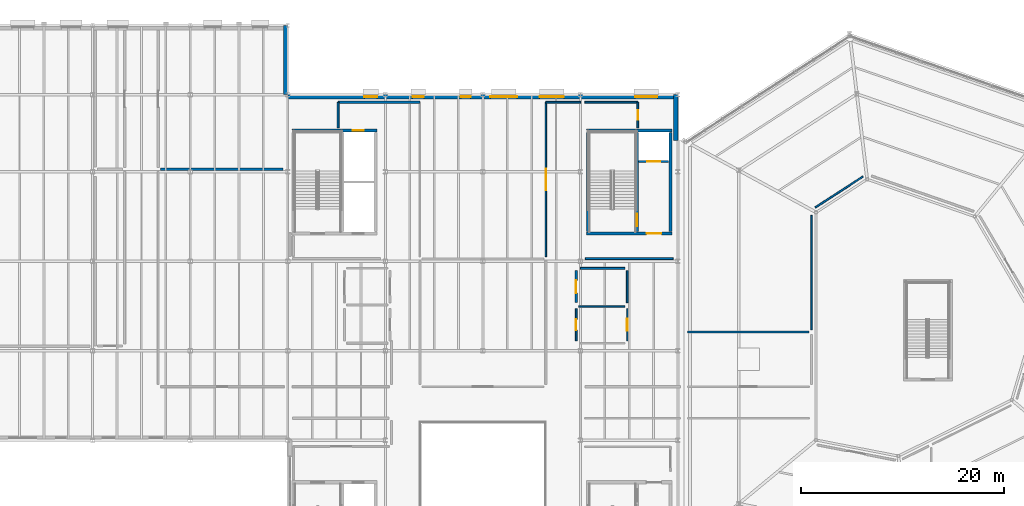
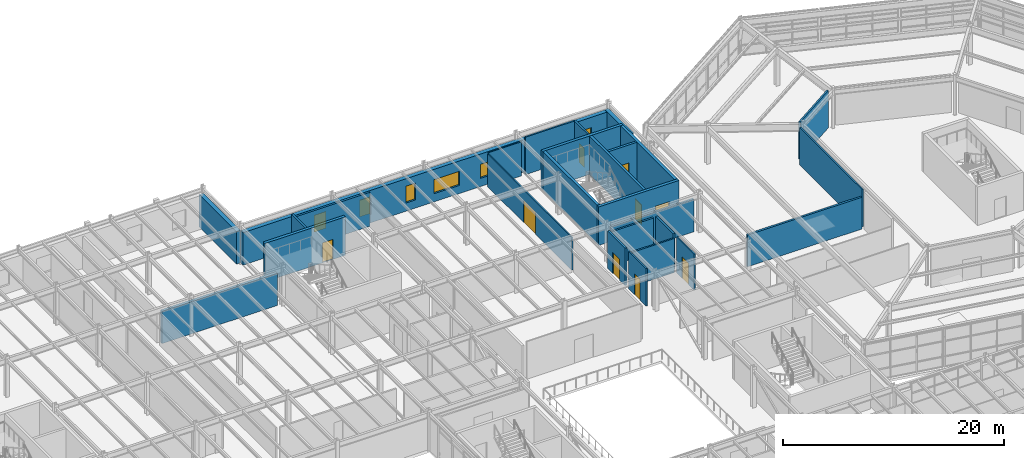
# One storey, part 75 of 88: 27 walls, 9 doors, 6 windows, 15 openings.
"""IFC4 building model written with IfcOpenShell, lengths in metres."""

from ifc_helpers import new_model, si_unit, direction, frame, frame_2d, origin, place, context, subcontext, project, spatial, rectangle, extrude, material, layer, layer_set, type_object, element, fill, save


model = new_model("IFC4")

# Units and contexts
model_context = context("Model", 3, precision=1e-05, world=origin(), true_north=direction((0.0, 1.0)))
body_context = subcontext(model_context, "Body", "Model", "MODEL_VIEW")
ifc_project = project(units=[si_unit("LENGTHUNIT", "METRE"), si_unit("AREAUNIT", "SQUARE_METRE"), si_unit("VOLUMEUNIT", "CUBIC_METRE"), si_unit("PLANEANGLEUNIT", "RADIAN"), si_unit("MASSUNIT", "GRAM", prefix="KILO")], contexts=[model_context])

# Site, building, storey
site_placement = place(None, origin())
site = spatial("IfcSite", under=ifc_project, at=site_placement, CompositionType="ELEMENT")
building_placement = place(site_placement, origin())
building = spatial("IfcBuilding", under=site, at=building_placement, Name="Sarnbrook Museum", CompositionType="ELEMENT")
storey_placement = place(building_placement, frame((0.0, 0.0, 10.10009765625)))
storey = spatial("IfcBuildingStorey", under=building, at=storey_placement, Name="L02", CompositionType="ELEMENT", Elevation=10.10009765625)

# Wall, opening, door
ifc_material_1 = material(Name="Concrete N50 (AS 3600, f'c = 50 MPa)", Category="concrete")
ifc_layer_1 = layer(ifc_material_1, 0.300048828125)
ifc_layer_set_1 = layer_set([ifc_layer_1], Name="Concrete N50 (AS 3600, f'c = 50 MPa)")
wall_type_1 = type_object("IfcWallType", Name="CoreWall_CWRC", PredefinedType="SHEAR", material=ifc_layer_set_1)
wall_1_placement = place(storey_placement, frame((110.199951171875, 94.75, 0.0), z_axis=(0.0, 0.0, 1.0), x_axis=(1.0, 0.0, 0.0)))
wall_1 = element("IfcWall", 1, at=wall_1_placement, inside=storey, type_object=wall_type_1, Name="Core C2 Shear Wall S L02", PredefinedType="SHEAR", context=body_context, shape_type="SweptSolid", body=[
    extrude(rectangle(XDim=8.400146484375, YDim=0.300048828125, at=frame_2d((4.2001953125, 0.0))), origin(), (0.0, 0.0, 1.0), 4.244873046875),
])
opening_1_placement = place(wall_1_placement, frame((5.925048828125, 0.0, 0.0)))
opening_1 = element("IfcOpeningElement", 2, at=opening_1_placement, cuts=wall_1, Name="Opening D-LOB-C2-L02", PredefinedType="OPENING", context=body_context, shape_type="SweptSolid", body=[
    extrude(rectangle(XDim=1.449951171875, YDim=2.25, at=frame_2d((0.72509765625, 1.125))), frame((0.0, 0.16015625, 0.0), z_axis=(0.0, -1.0, 0.0), x_axis=(1.0, 0.0, 0.0)), (0.0, 0.0, 1.0), 0.320068359375),
])
ifc_material_2 = material(Name="Tasmanian Oak Acoustic Timber", Category="wood")
door_type_1 = type_object("IfcDoorType", Name="FireDoor_FD120W", OperationType="NOTDEFINED", PredefinedType="DOOR", material=ifc_material_2)
door_1_placement = place(opening_1_placement, origin())
door_1 = element("IfcDoor", 3, at=door_1_placement, inside=storey, type_object=door_type_1, Name="Core C2 Fire Lobby Entry Door L02", OperationType="SINGLE_SWING_RIGHT", OverallHeight=2.25, OverallWidth=1.449951171875, PredefinedType="DOOR", context=body_context, shape_type="SweptSolid", body=[
    extrude(rectangle(XDim=1.449951171875, YDim=2.25, at=frame_2d((0.72509765625, 1.125))), frame((0.0, 0.02490234375, 0.0), z_axis=(0.0, -1.0, 0.0), x_axis=(1.0, 0.0, 0.0)), (0.0, 0.0, 1.0), 0.050048828125),
])
fill(opening_1, door_1)

# Walls
wall_2_placement = place(storey_placement, frame((118.60009765625, 104.85009765625, 0.0), z_axis=(0.0, 0.0, 1.0), x_axis=(-1.0, 0.0, 0.0)))
element("IfcWall", 4, at=wall_2_placement, inside=storey, type_object=wall_type_1, Name="Core C2 Shear Wall N L02", PredefinedType="SHEAR", context=body_context, shape_type="SweptSolid", body=[
    extrude(rectangle(XDim=8.400146484375, YDim=0.300048828125, at=frame_2d((4.2001953125, 0.0))), origin(), (0.0, 0.0, 1.0), 4.244873046875),
])
for number, where, z_axis, x_axis, name in (
    (5, (118.449951171875, 94.909912109375, 0.0), (0.0, 0.0, 1.0), (0.0, 1.0, 0.0), "Core C2 Shear Wall E L02"),
    (6, (110.35009765625, 104.68994140625, 0.0), (0.0, 0.0, 1.0), (0.0, -1.0, 0.0), "Core C2 Shear Wall W L02"),
):
    element("IfcWall", number, at=place(storey_placement, frame(where, z_axis=z_axis, x_axis=x_axis)), inside=storey, type_object=wall_type_1, Name=name, PredefinedType="SHEAR", context=body_context, shape_type="SweptSolid", body=[
        extrude(rectangle(XDim=9.780029296875, YDim=0.300048828125, at=frame_2d((4.89013671875, 0.0))), origin(), (0.0, 0.0, 1.0), 4.244873046875),
    ])

# Wall, opening, door
wall_3_placement = place(storey_placement, frame((89.60009765625, 104.85009765625, 0.0), z_axis=(0.0, 0.0, 1.0), x_axis=(-1.0, 0.0, 0.0)))
wall_3 = element("IfcWall", 7, at=wall_3_placement, inside=storey, type_object=wall_type_1, Name="Core C4 Shear Wall N L02", PredefinedType="SHEAR", context=body_context, shape_type="SweptSolid", body=[
    extrude(rectangle(XDim=8.400146484375, YDim=0.300048828125, at=frame_2d((4.2001953125, 0.0))), origin(), (0.0, 0.0, 1.0), 4.244873046875),
])
opening_2_placement = place(wall_3_placement, frame((1.300048828125, 0.0, 0.0)))
opening_2 = element("IfcOpeningElement", 8, at=opening_2_placement, cuts=wall_3, Name="Opening LD-PL4-L02", PredefinedType="OPENING", context=body_context, shape_type="SweptSolid", body=[
    extrude(rectangle(XDim=1.10009765625, YDim=2.199951171875, at=frame_2d((0.550048828125, 1.10009765625))), frame((0.0, 0.16015625, 0.0), z_axis=(0.0, -1.0, 0.0), x_axis=(1.0, 0.0, 0.0)), (0.0, 0.0, 1.0), 0.320068359375),
])
ifc_material_3 = material(Name="Brushed Stainless Steel Grade 316", Category="steel")
door_type_2 = type_object("IfcDoorType", Name="LiftDoor_Pax110", OperationType="DOUBLE_DOOR_SLIDING", PredefinedType="DOOR", material=ifc_material_3)
door_2_placement = place(opening_2_placement, origin())
door_2 = element("IfcDoor", 9, at=door_2_placement, inside=storey, type_object=door_type_2, Name="Lift Landing Sliding Door LD-PL4-L02", OperationType="DOUBLE_DOOR_SLIDING", OverallHeight=2.199951171875, OverallWidth=1.10009765625, PredefinedType="DOOR", context=body_context, shape_type="SweptSolid", body=[
    extrude(rectangle(XDim=1.10009765625, YDim=2.199951171875, at=frame_2d((0.550048828125, 1.10009765625))), frame((0.0, 0.02490234375, 0.0), z_axis=(0.0, -1.0, 0.0), x_axis=(1.0, 0.0, 0.0)), (0.0, 0.0, 1.0), 0.050048828125),
])
fill(opening_2, door_2)

# Wall
ifc_material_4 = material(Name="Concrete N40 (AS 3600, f'c = 40 MPa)", Category="concrete")
ifc_layer_2 = layer(ifc_material_4, 0.260009765625)
ifc_layer_set_2 = layer_set([ifc_layer_2], Name="Concrete N40 (AS 3600, f'c = 40 MPa)")
wall_type_2 = type_object("IfcWallType", Name="FireWall_FW240", PredefinedType="SOLIDWALL", material=ifc_layer_set_2)
wall_4_placement = place(storey_placement, frame((68.280029296875, 101.06005859375, 0.0), z_axis=(0.0, 0.0, 1.0), x_axis=(1.0, 0.0, 0.0)))
element("IfcWall", 10, at=wall_4_placement, inside=storey, type_object=wall_type_2, Name="Interior Partition Wall L02-0588", PredefinedType="SOLIDWALL", context=body_context, shape_type="SweptSolid", body=[
    extrude(rectangle(XDim=12.0400390625, YDim=0.260009765625, at=frame_2d((6.02001953125, 0.0))), origin(), (0.0, 0.0, 1.0), 3.572998046875),
])

# Wall, opening, door
ifc_material_5 = material(Name="Fire-Rated Acoustic Gypsum Plasterboard")
ifc_layer_3 = layer(ifc_material_5, 0.135009765625)
ifc_layer_set_3 = layer_set([ifc_layer_3], Name="Fire-Rated Acoustic Gypsum Plasterboard")
wall_type_3 = type_object("IfcWallType", Name="PartWall_P135", PredefinedType="PARTITIONING", material=ifc_layer_set_3)
wall_5_placement = place(storey_placement, frame((114.2099609375, 87.330078125, 0.0), z_axis=(0.0, 0.0, 1.0), x_axis=(0.0, -1.0, 0.0)))
wall_5 = element("IfcWall", 11, at=wall_5_placement, inside=storey, type_object=wall_type_3, Name="Interior Partition Wall L02-0453", PredefinedType="PARTITIONING", context=body_context, shape_type="SweptSolid", body=[
    extrude(rectangle(XDim=3.16015625, YDim=0.135009765625, at=frame_2d((1.580078125, 0.0))), origin(), (0.0, 0.0, 1.0), 3.9638671875),
])
opening_3_placement = place(wall_5_placement, frame((1.0048828125, 0.0, 0.0)))
opening_3 = element("IfcOpeningElement", 12, at=opening_3_placement, cuts=wall_5, Name="Opening D-L02-136", PredefinedType="OPENING", context=body_context, shape_type="SweptSolid", body=[
    extrude(rectangle(XDim=1.14990234375, YDim=2.340087890625, at=frame_2d((0.574951171875, 1.169921875))), frame((0.0, 0.07763671875, 0.0), z_axis=(0.0, -1.0, 0.0), x_axis=(1.0, 0.0, 0.0)), (0.0, 0.0, 1.0), 0.155029296875),
])
door_type_3 = type_object("IfcDoorType", Name="IntDoor_DT22", OperationType="NOTDEFINED", PredefinedType="DOOR", material=ifc_material_2)
door_3_placement = place(opening_3_placement, frame((1.14990234375, 0.0, 0.0), z_axis=(0.0, 0.0, 1.0), x_axis=(-1.0, 0.0, 0.0)))
door_3 = element("IfcDoor", 13, at=door_3_placement, inside=storey, type_object=door_type_3, Name="Entomology & Arachnid Pavilion L02-15 Door D-L02-136", OperationType="SINGLE_SWING_LEFT", OverallHeight=2.340087890625, OverallWidth=1.14990234375, PredefinedType="DOOR", context=body_context, shape_type="SweptSolid", body=[
    extrude(rectangle(XDim=1.14990234375, YDim=2.340087890625, at=frame_2d((0.574951171875, 1.169921875))), frame((0.0, 0.02490234375, 0.0), z_axis=(0.0, -1.0, 0.0), x_axis=(1.0, 0.0, 0.0)), (0.0, 0.0, 1.0), 0.050048828125),
])
fill(opening_3, door_3)

wall_6_placement = place(storey_placement, frame((106.199951171875, 107.639892578125, 0.0), z_axis=(0.0, 0.0, 1.0), x_axis=(0.0, -1.0, 0.0)))
wall_6 = element("IfcWall", 14, at=wall_6_placement, inside=storey, type_object=wall_type_3, Name="Interior Partition Wall L02-0502", PredefinedType="PARTITIONING", context=body_context, shape_type="SweptSolid", body=[
    extrude(rectangle(XDim=15.18994140625, YDim=0.135009765625, at=frame_2d((7.594970703125, 0.0))), origin(), (0.0, 0.0, 1.0), 3.61279296875),
])
opening_4_placement = place(wall_6_placement, frame((6.52490234375, 0.0, 0.0)))
opening_4 = element("IfcOpeningElement", 15, at=opening_4_placement, cuts=wall_6, Name="Opening D-L02-147", PredefinedType="OPENING", context=body_context, shape_type="SweptSolid", body=[
    extrude(rectangle(XDim=2.139892578125, YDim=2.4599609375, at=frame_2d((1.06982421875, 1.22998046875))), frame((0.0, 0.07763671875, 0.0), z_axis=(0.0, -1.0, 0.0), x_axis=(1.0, 0.0, 0.0)), (0.0, 0.0, 1.0), 0.155029296875),
])
door_type_4 = type_object("IfcDoorType", Name="IntDoor_DT33", OperationType="NOTDEFINED", PredefinedType="DOOR", material=ifc_material_2)
door_4_placement = place(opening_4_placement, frame((2.139892578125, 0.0, 0.0), z_axis=(0.0, 0.0, 1.0), x_axis=(-1.0, 0.0, 0.0)))
door_4 = element("IfcDoor", 16, at=door_4_placement, inside=storey, type_object=door_type_4, Name="Avian & Rainforest Ecology Gallery L02-8 Door D-L02-147", OperationType="DOUBLE_DOOR_SINGLE_SWING", OverallHeight=2.4599609375, OverallWidth=2.139892578125, PredefinedType="DOOR", context=body_context, shape_type="SweptSolid", body=[
    extrude(rectangle(XDim=2.139892578125, YDim=2.4599609375, at=frame_2d((1.06982421875, 1.22998046875))), frame((0.0, 0.02490234375, 0.0), z_axis=(0.0, -1.0, 0.0), x_axis=(1.0, 0.0, 0.0)), (0.0, 0.0, 1.0), 0.050048828125),
])
fill(opening_4, door_4)

ifc_layer_4 = layer(ifc_material_5, 0.14990234375)
ifc_layer_set_4 = layer_set([ifc_layer_4], Name="Fire-Rated Acoustic Gypsum Plasterboard")
wall_type_4 = type_object("IfcWallType", Name="PartWall_P150", PredefinedType="PARTITIONING", material=ifc_layer_set_4)
wall_7_placement = place(storey_placement, frame((109.18994140625, 84.169921875, 0.0), z_axis=(0.0, 0.0, 1.0), x_axis=(0.0, 1.0, 0.0)))
wall_7 = element("IfcWall", 17, at=wall_7_placement, inside=storey, type_object=wall_type_4, Name="Interior Partition Wall L02-0452", PredefinedType="PARTITIONING", context=body_context, shape_type="SweptSolid", body=[
    extrude(rectangle(XDim=3.16015625, YDim=0.14990234375, at=frame_2d((1.580078125, 0.0))), origin(), (0.0, 0.0, 1.0), 4.1298828125),
])
opening_5_placement = place(wall_7_placement, frame((1.054931640625, 0.0, 0.0)))
opening_5 = element("IfcOpeningElement", 18, at=opening_5_placement, cuts=wall_7, Name="Opening D-L02-135", PredefinedType="OPENING", context=body_context, shape_type="SweptSolid", body=[
    extrude(rectangle(XDim=1.050048828125, YDim=2.340087890625, at=frame_2d((0.52490234375, 1.169921875))), frame((0.0, 0.0849609375, 0.0), z_axis=(0.0, -1.0, 0.0), x_axis=(1.0, 0.0, 0.0)), (0.0, 0.0, 1.0), 0.169921875),
])
door_type_5 = type_object("IfcDoorType", Name="IntDoor_DT21", OperationType="NOTDEFINED", PredefinedType="DOOR", material=ifc_material_2)
door_5_placement = place(opening_5_placement, origin())
door_5 = element("IfcDoor", 19, at=door_5_placement, inside=storey, type_object=door_type_5, Name="Public Male Toilets L02 Door D-L02-135", OperationType="SINGLE_SWING_RIGHT", OverallHeight=2.340087890625, OverallWidth=1.050048828125, PredefinedType="DOOR", context=body_context, shape_type="SweptSolid", body=[
    extrude(rectangle(XDim=1.050048828125, YDim=2.340087890625, at=frame_2d((0.52490234375, 1.169921875))), frame((0.0, 0.02490234375, 0.0), z_axis=(0.0, -1.0, 0.0), x_axis=(1.0, 0.0, 0.0)), (0.0, 0.0, 1.0), 0.050048828125),
])
fill(opening_5, door_5)

# Walls
wall_8_placement = place(storey_placement, frame((132.35009765625, 96.52734375, 0.0), z_axis=(0.0, 0.0, 1.0), x_axis=(0.0, -1.0, 0.0)))
element("IfcWall", 20, at=wall_8_placement, inside=storey, type_object=wall_type_4, Name="Interior Partition Wall L02-0473", PredefinedType="PARTITIONING", context=body_context, shape_type="SweptSolid", body=[
    extrude(rectangle(XDim=11.291748046875, YDim=0.14990234375, at=frame_2d((5.64599609375, 0.0))), origin(), (0.0, 0.0, 1.0), 4.1298828125),
])
wall_9_placement = place(storey_placement, frame((109.6298828125, 107.64990234375, 0.0), z_axis=(0.0, 0.0, 1.0), x_axis=(-1.0, 0.0, 0.0)))
element("IfcWall", 21, at=wall_9_placement, inside=storey, type_object=wall_type_4, Name="Interior Partition Wall L02-0501", PredefinedType="PARTITIONING", context=body_context, shape_type="SweptSolid", body=[
    extrude(rectangle(XDim=3.419921875, YDim=0.14990234375, at=frame_2d((1.7099609375, 0.0))), origin(), (0.0, 0.0, 1.0), 3.762939453125),
])
ifc_layer_5 = layer(ifc_material_5, 0.1650390625)
ifc_layer_set_5 = layer_set([ifc_layer_5], Name="Fire-Rated Acoustic Gypsum Plasterboard")
wall_type_5 = type_object("IfcWallType", Name="PartWall_P165", PredefinedType="PARTITIONING", material=ifc_layer_set_5)
wall_10_placement = place(storey_placement, frame((109.419921875, 87.56005859375, 0.0), z_axis=(0.0, 0.0, 1.0), x_axis=(1.0, 0.0, 0.0)))
element("IfcWall", 22, at=wall_10_placement, inside=storey, type_object=wall_type_5, Name="Interior Partition Wall L02-0451", PredefinedType="PARTITIONING", context=body_context, shape_type="SweptSolid", body=[
    extrude(rectangle(XDim=4.56005859375, YDim=0.1650390625, at=frame_2d((2.280029296875, 0.0))), origin(), (0.0, 0.0, 1.0), 3.762939453125),
])
wall_11_placement = place(storey_placement, frame((137.409423828125, 100.339111328125, 0.0), z_axis=(0.0, 0.0, 1.0), x_axis=(-0.838914477988, -0.544263262238, 0.0)))
element("IfcWall", 23, at=wall_11_placement, inside=storey, type_object=wall_type_5, Name="Interior Partition Wall L02-0472", PredefinedType="PARTITIONING", context=body_context, shape_type="SweptSolid", body=[
    extrude(rectangle(XDim=5.599609375, YDim=0.1650390625, at=frame_2d((2.7998046875, 0.0))), origin(), (0.0, 0.0, 1.0), 4.1298828125),
])
wall_12_placement = place(storey_placement, frame((115.239990234375, 107.64990234375, 0.0), z_axis=(0.0, 0.0, 1.0), x_axis=(-1.0, 0.0, 0.0)))
element("IfcWall", 24, at=wall_12_placement, inside=storey, type_object=wall_type_5, Name="Interior Partition Wall L02-0528", PredefinedType="PARTITIONING", context=body_context, shape_type="SweptSolid", body=[
    extrude(rectangle(XDim=5.18994140625, YDim=0.1650390625, at=frame_2d((2.594970703125, 0.0))), origin(), (0.0, 0.0, 1.0), 4.1298828125),
])
ifc_layer_6 = layer(ifc_material_5, 0.179931640625)
ifc_layer_set_6 = layer_set([ifc_layer_6], Name="Fire-Rated Acoustic Gypsum Plasterboard")
wall_type_6 = type_object("IfcWallType", Name="PartWall_P180", PredefinedType="PARTITIONING", material=ifc_layer_set_6)
wall_13_placement = place(storey_placement, frame((114.2099609375, 91.080078125, 0.0), z_axis=(0.0, 0.0, 1.0), x_axis=(0.0, -1.0, 0.0)))
element("IfcWall", 25, at=wall_13_placement, inside=storey, type_object=wall_type_6, Name="Interior Partition Wall L02-0457", PredefinedType="PARTITIONING", context=body_context, shape_type="SweptSolid", body=[
    extrude(rectangle(XDim=3.16015625, YDim=0.179931640625, at=frame_2d((1.580078125, 0.0))), origin(), (0.0, 0.0, 1.0), 3.9638671875),
])

# Wall, opening, door
wall_14_placement = place(storey_placement, frame((115.25, 105.1201171875, 0.0), z_axis=(0.0, 0.0, 1.0), x_axis=(0.0, 1.0, 0.0)))
wall_14 = element("IfcWall", 26, at=wall_14_placement, inside=storey, type_object=wall_type_6, Name="Interior Partition Wall L02-0527", PredefinedType="PARTITIONING", context=body_context, shape_type="SweptSolid", body=[
    extrude(rectangle(XDim=2.519775390625, YDim=0.179931640625, at=frame_2d((1.259765625, 0.0))), origin(), (0.0, 0.0, 1.0), 4.1298828125),
])
opening_6_placement = place(wall_14_placement, frame((0.7900390625, 0.0, 0.0)))
opening_6 = element("IfcOpeningElement", 27, at=opening_6_placement, cuts=wall_14, Name="Opening D-L02-154", PredefinedType="OPENING", context=body_context, shape_type="SweptSolid", body=[
    extrude(rectangle(XDim=0.93994140625, YDim=2.080078125, at=frame_2d((0.469970703125, 1.0400390625))), frame((0.0, 0.10009765625, 0.0), z_axis=(0.0, -1.0, 0.0), x_axis=(1.0, 0.0, 0.0)), (0.0, 0.0, 1.0), 0.199951171875),
])
door_type_6 = type_object("IfcDoorType", Name="IntDoor_DT02", OperationType="NOTDEFINED", PredefinedType="DOOR", material=ifc_material_2)
door_6_placement = place(opening_6_placement, origin())
door_6 = element("IfcDoor", 28, at=door_6_placement, inside=storey, type_object=door_type_6, Name="Microscopy & Imaging Laboratory L02-16 Door D-L02-154", OperationType="SINGLE_SWING_LEFT", OverallHeight=2.080078125, OverallWidth=0.93994140625, PredefinedType="DOOR", context=body_context, shape_type="SweptSolid", body=[
    extrude(rectangle(XDim=0.93994140625, YDim=2.080078125, at=frame_2d((0.469970703125, 1.0400390625))), frame((0.0, 0.02490234375, 0.0), z_axis=(0.0, -1.0, 0.0), x_axis=(1.0, 0.0, 0.0)), (0.0, 0.0, 1.0), 0.050048828125),
])
fill(opening_6, door_6)

# Walls
ifc_layer_7 = layer(ifc_material_5, 0.195068359375)
ifc_layer_set_7 = layer_set([ifc_layer_7], Name="Fire-Rated Acoustic Gypsum Plasterboard")
wall_type_7 = type_object("IfcWallType", Name="PartWall_P195", PredefinedType="PARTITIONING", material=ifc_layer_set_7)
wall_15_placement = place(storey_placement, frame((109.590087890625, 91.31005859375, 0.0), z_axis=(0.0, 0.0, 1.0), x_axis=(1.0, 0.0, 0.0)))
element("IfcWall", 29, at=wall_15_placement, inside=storey, type_object=wall_type_7, Name="Interior Partition Wall L02-0456", PredefinedType="PARTITIONING", context=body_context, shape_type="SweptSolid", body=[
    extrude(rectangle(XDim=4.389892578125, YDim=0.195068359375, at=frame_2d((2.19482421875, 0.0))), origin(), (0.0, 0.0, 1.0), 3.762939453125),
])
wall_16_placement = place(storey_placement, frame((85.75, 107.639892578125, 0.0), z_axis=(0.0, 0.0, 1.0), x_axis=(0.0, -1.0, 0.0)))
element("IfcWall", 30, at=wall_16_placement, inside=storey, type_object=wall_type_7, Name="Interior Partition Wall L02-0505", PredefinedType="PARTITIONING", context=body_context, shape_type="SweptSolid", body=[
    extrude(rectangle(XDim=2.519775390625, YDim=0.195068359375, at=frame_2d((1.259765625, 0.0))), origin(), (0.0, 0.0, 1.0), 4.1298828125),
])
wall_17_placement = place(storey_placement, frame((110.080078125, 92.260009765625, 0.0), z_axis=(0.0, 0.0, 1.0), x_axis=(1.0, 0.0, 0.0)))
element("IfcWall", 31, at=wall_17_placement, inside=storey, type_object=wall_type_7, Name="Interior Partition Wall L02-0526", PredefinedType="PARTITIONING", context=body_context, shape_type="SweptSolid", body=[
    extrude(rectangle(XDim=8.639892578125, YDim=0.195068359375, at=frame_2d((4.31982421875, 0.0))), origin(), (0.0, 0.0, 1.0), 3.61279296875),
])

# Wall, opening, door
ifc_layer_8 = layer(ifc_material_5, 0.2099609375)
ifc_layer_set_8 = layer_set([ifc_layer_8], Name="Fire-Rated Acoustic Gypsum Plasterboard")
wall_type_8 = type_object("IfcWallType", Name="PartWall_P210", PredefinedType="PARTITIONING", material=ifc_layer_set_8)
wall_18_placement = place(storey_placement, frame((109.18994140625, 87.919921875, 0.0), z_axis=(0.0, 0.0, 1.0), x_axis=(0.0, 1.0, 0.0)))
wall_18 = element("IfcWall", 32, at=wall_18_placement, inside=storey, type_object=wall_type_8, Name="Interior Partition Wall L02-0455", PredefinedType="PARTITIONING", context=body_context, shape_type="SweptSolid", body=[
    extrude(rectangle(XDim=3.16015625, YDim=0.2099609375, at=frame_2d((1.580078125, 0.0))), origin(), (0.0, 0.0, 1.0), 4.1298828125),
])
opening_7_placement = place(wall_18_placement, frame((0.949951171875, 0.0, 0.0)))
opening_7 = element("IfcOpeningElement", 33, at=opening_7_placement, cuts=wall_18, Name="Opening D-L02-137", PredefinedType="OPENING", context=body_context, shape_type="SweptSolid", body=[
    extrude(rectangle(XDim=1.260009765625, YDim=2.340087890625, at=frame_2d((0.6298828125, 1.169921875))), frame((0.0, 0.114990234375, 0.0), z_axis=(0.0, -1.0, 0.0), x_axis=(1.0, 0.0, 0.0)), (0.0, 0.0, 1.0), 0.22998046875),
])
door_type_7 = type_object("IfcDoorType", Name="IntDoor_DT23", OperationType="NOTDEFINED", PredefinedType="DOOR", material=ifc_material_2)
door_7_placement = place(opening_7_placement, origin())
door_7 = element("IfcDoor", 34, at=door_7_placement, inside=storey, type_object=door_type_7, Name="Public Female Toilets L02 Door D-L02-137", OperationType="SINGLE_SWING_RIGHT", OverallHeight=2.340087890625, OverallWidth=1.260009765625, PredefinedType="DOOR", context=body_context, shape_type="SweptSolid", body=[
    extrude(rectangle(XDim=1.260009765625, YDim=2.340087890625, at=frame_2d((0.6298828125, 1.169921875))), frame((0.0, 0.02490234375, 0.0), z_axis=(0.0, -1.0, 0.0), x_axis=(1.0, 0.0, 0.0)), (0.0, 0.0, 1.0), 0.050048828125),
])
fill(opening_7, door_7)

# Walls
wall_19_placement = place(storey_placement, frame((93.7900390625, 107.64990234375, 0.0), z_axis=(0.0, 0.0, 1.0), x_axis=(-1.0, 0.0, 0.0)))
element("IfcWall", 35, at=wall_19_placement, inside=storey, type_object=wall_type_8, Name="Interior Partition Wall L02-0504", PredefinedType="PARTITIONING", context=body_context, shape_type="SweptSolid", body=[
    extrude(rectangle(XDim=8.030029296875, YDim=0.2099609375, at=frame_2d((4.01513671875, 0.0))), origin(), (0.0, 0.0, 1.0), 3.762939453125),
])
wall_20_placement = place(storey_placement, frame((120.15234375, 85.04541015625, 0.0), z_axis=(0.0, 0.0, 1.0), x_axis=(1.0, 0.0, 0.0)))
element("IfcWall", 36, at=wall_20_placement, inside=storey, type_object=wall_type_8, Name="Interior Partition Wall L02-0574", PredefinedType="PARTITIONING", context=body_context, shape_type="SweptSolid", body=[
    extrude(rectangle(XDim=11.9677734375, YDim=0.2099609375, at=frame_2d((5.98388671875, 0.0))), origin(), (0.0, 0.0, 1.0), 3.510009765625),
])

# Wall, opening, door
ifc_layer_9 = layer(ifc_material_4, 0.239990234375)
ifc_layer_set_9 = layer_set([ifc_layer_9], Name="Concrete N40 (AS 3600, f'c = 40 MPa)")
wall_type_9 = type_object("IfcWallType", Name="ShaftWall_SWRC", PredefinedType="SOLIDWALL", material=ifc_layer_set_9)
wall_21_placement = place(storey_placement, frame((115.18994140625, 94.909912109375, 0.0), z_axis=(0.0, 0.0, 1.0), x_axis=(0.0, 1.0, 0.0)))
wall_21 = element("IfcWall", 37, at=wall_21_placement, inside=storey, type_object=wall_type_9, Name="Stairwell ST2 Fire Shaft Wall L02", PredefinedType="SOLIDWALL", context=body_context, shape_type="SweptSolid", body=[
    extrude(rectangle(XDim=9.780029296875, YDim=0.239990234375, at=frame_2d((4.89013671875, 0.0))), origin(), (0.0, 0.0, 1.0), 4.244873046875),
])
opening_8_placement = place(wall_21_placement, frame((0.514892578125, 0.0, 0.0)))
opening_8 = element("IfcOpeningElement", 38, at=opening_8_placement, cuts=wall_21, Name="Opening D-ST-ST2-L02", PredefinedType="OPENING", context=body_context, shape_type="SweptSolid", body=[
    extrude(rectangle(XDim=1.25, YDim=2.199951171875, at=frame_2d((0.625, 1.10009765625))), frame((0.0, 0.1298828125, 0.0), z_axis=(0.0, -1.0, 0.0), x_axis=(1.0, 0.0, 0.0)), (0.0, 0.0, 1.0), 0.260009765625),
])
door_type_8 = type_object("IfcDoorType", Name="FireDoor_FD120", OperationType="NOTDEFINED", PredefinedType="DOOR", material=ifc_material_2)
door_8_placement = place(opening_8_placement, origin())
door_8 = element("IfcDoor", 39, at=door_8_placement, inside=storey, type_object=door_type_8, Name="Exit Stair ST2 Fire Door L02", OperationType="SINGLE_SWING_LEFT", OverallHeight=2.199951171875, OverallWidth=1.25, PredefinedType="DOOR", context=body_context, shape_type="SweptSolid", body=[
    extrude(rectangle(XDim=1.25, YDim=2.199951171875, at=frame_2d((0.625, 1.10009765625))), frame((0.0, 0.02490234375, 0.0), z_axis=(0.0, -1.0, 0.0), x_axis=(1.0, 0.0, 0.0)), (0.0, 0.0, 1.0), 0.050048828125),
])
fill(opening_8, door_8)

wall_22_placement = place(storey_placement, frame((115.320068359375, 101.820068359375, 0.0), z_axis=(0.0, 0.0, 1.0), x_axis=(1.0, 0.0, 0.0)))
wall_22 = element("IfcWall", 40, at=wall_22_placement, inside=storey, type_object=wall_type_9, Name="Lift EL2 Shaft Front Wall L02", PredefinedType="SOLIDWALL", context=body_context, shape_type="SweptSolid", body=[
    extrude(rectangle(XDim=2.969970703125, YDim=0.239990234375, at=frame_2d((1.48486328125, 0.0))), origin(), (0.0, 0.0, 1.0), 4.244873046875),
])
opening_9_placement = place(wall_22_placement, frame((0.8349609375, 0.0, 0.0)))
opening_9 = element("IfcOpeningElement", 41, at=opening_9_placement, cuts=wall_22, Name="Opening LD-EL2-L02", PredefinedType="OPENING", context=body_context, shape_type="SweptSolid", body=[
    extrude(rectangle(XDim=1.300048828125, YDim=2.25, at=frame_2d((0.64990234375, 1.125))), frame((0.0, 0.1298828125, 0.0), z_axis=(0.0, -1.0, 0.0), x_axis=(1.0, 0.0, 0.0)), (0.0, 0.0, 1.0), 0.260009765625),
])
door_type_9 = type_object("IfcDoorType", Name="LiftDoor_FF130", OperationType="DOUBLE_DOOR_SLIDING", PredefinedType="DOOR", material=ifc_material_3)
door_9_placement = place(opening_9_placement, origin())
door_9 = element("IfcDoor", 42, at=door_9_placement, inside=storey, type_object=door_type_9, Name="Lift Landing Sliding Door LD-EL2-L02", OperationType="DOUBLE_DOOR_SLIDING", OverallHeight=2.25, OverallWidth=1.300048828125, PredefinedType="DOOR", context=body_context, shape_type="SweptSolid", body=[
    extrude(rectangle(XDim=1.300048828125, YDim=2.25, at=frame_2d((0.64990234375, 1.125))), frame((0.0, 0.02490234375, 0.0), z_axis=(0.0, -1.0, 0.0), x_axis=(1.0, 0.0, 0.0)), (0.0, 0.0, 1.0), 0.050048828125),
])
fill(opening_9, door_9)

# Wall
ifc_material_6 = material(Name="Barrabool Sandstone Ashlar Cladding", Category="masonry")
ifc_layer_10 = layer(ifc_material_6, 0.419921875)
ifc_layer_set_10 = layer_set([ifc_layer_10], Name="Barrabool Sandstone Ashlar Cladding")
wall_type_10 = type_object("IfcWallType", Name="Wall_SandstoneExt420", PredefinedType="SOLIDWALL", material=ifc_layer_set_10)
wall_23_placement = place(storey_placement, frame((118.989990234375, 103.878173828125, 0.0), z_axis=(0.0, 0.0, 1.0), x_axis=(0.0, 1.0, 0.0)))
element("IfcWall", 43, at=wall_23_placement, inside=storey, type_object=wall_type_10, Name="Classical Sandstone Facade Wall L02-02", PredefinedType="SOLIDWALL", context=body_context, shape_type="SweptSolid", body=[
    extrude(rectangle(XDim=4.521728515625, YDim=0.419921875, at=frame_2d((2.2607421875, 0.0))), origin(), (0.0, 0.0, 1.0), 3.6279296875),
])

# Wall, openings, windows
wall_24_placement = place(storey_placement, frame((118.98388671875, 108.18994140625, 0.0), z_axis=(0.0, 0.0, 1.0), x_axis=(-1.0, 0.0, 0.0)))
wall_24 = element("IfcWall", 44, at=wall_24_placement, inside=storey, type_object=wall_type_10, Name="Classical Sandstone Facade Wall L02-03", PredefinedType="SOLIDWALL", context=body_context, shape_type="SweptSolid", body=[
    extrude(rectangle(XDim=38.183837890625, YDim=0.419921875, at=frame_2d((19.091796875, 0.0))), origin(), (0.0, 0.0, 1.0), 3.587890625),
])
opening_10_placement = place(wall_24_placement, frame((1.800048828125, 0.0, 0.89990234375)))
opening_10 = element("IfcOpeningElement", 45, at=opening_10_placement, cuts=wall_24, Name="Opening WT-09", PredefinedType="OPENING", context=body_context, shape_type="SweptSolid", body=[
    extrude(rectangle(XDim=2.199951171875, YDim=1.550048828125, at=frame_2d((1.10009765625, 0.77490234375))), frame((0.0, 0.219970703125, 0.0), z_axis=(0.0, -1.0, 0.0), x_axis=(1.0, 0.0, 0.0)), (0.0, 0.0, 1.0), 0.43994140625),
])
opening_11_placement = place(wall_24_placement, frame((11.0, 0.0, 0.89990234375)))
opening_11 = element("IfcOpeningElement", 46, at=opening_11_placement, cuts=wall_24, Name="Opening WT-10", PredefinedType="OPENING", context=body_context, shape_type="SweptSolid", body=[
    extrude(rectangle(XDim=2.39990234375, YDim=1.550048828125, at=frame_2d((1.199951171875, 0.77490234375))), frame((0.0, 0.219970703125, 0.0), z_axis=(0.0, -1.0, 0.0), x_axis=(1.0, 0.0, 0.0)), (0.0, 0.0, 1.0), 0.43994140625),
])
opening_12_placement = place(wall_24_placement, frame((15.60009765625, 0.0, 0.89990234375)))
opening_12 = element("IfcOpeningElement", 47, at=opening_12_placement, cuts=wall_24, Name="Opening WT-11", PredefinedType="OPENING", context=body_context, shape_type="SweptSolid", body=[
    extrude(rectangle(XDim=2.64990234375, YDim=1.550048828125, at=frame_2d((1.324951171875, 0.77490234375))), frame((0.0, 0.219970703125, 0.0), z_axis=(0.0, -1.0, 0.0), x_axis=(1.0, 0.0, 0.0)), (0.0, 0.0, 1.0), 0.43994140625),
])
opening_13_placement = place(wall_24_placement, frame((20.199951171875, 0.0, 0.89990234375)))
opening_13 = element("IfcOpeningElement", 48, at=opening_13_placement, cuts=wall_24, Name="Opening WT-12", PredefinedType="OPENING", context=body_context, shape_type="SweptSolid", body=[
    extrude(rectangle(XDim=0.949951171875, YDim=1.85009765625, at=frame_2d((0.47509765625, 0.925048828125))), frame((0.0, 0.219970703125, 0.0), z_axis=(0.0, -1.0, 0.0), x_axis=(1.0, 0.0, 0.0)), (0.0, 0.0, 1.0), 0.43994140625),
])
opening_14_placement = place(wall_24_placement, frame((24.800048828125, 0.0, 0.89990234375)))
opening_14 = element("IfcOpeningElement", 49, at=opening_14_placement, cuts=wall_24, Name="Opening WT-13", PredefinedType="OPENING", context=body_context, shape_type="SweptSolid", body=[
    extrude(rectangle(XDim=1.10009765625, YDim=1.85009765625, at=frame_2d((0.550048828125, 0.925048828125))), frame((0.0, 0.219970703125, 0.0), z_axis=(0.0, -1.0, 0.0), x_axis=(1.0, 0.0, 0.0)), (0.0, 0.0, 1.0), 0.43994140625),
])
opening_15_placement = place(wall_24_placement, frame((29.39990234375, 0.0, 0.89990234375)))
opening_15 = element("IfcOpeningElement", 50, at=opening_15_placement, cuts=wall_24, Name="Opening WT-14", PredefinedType="OPENING", context=body_context, shape_type="SweptSolid", body=[
    extrude(rectangle(XDim=1.25, YDim=1.85009765625, at=frame_2d((0.625, 0.925048828125))), frame((0.0, 0.219970703125, 0.0), z_axis=(0.0, -1.0, 0.0), x_axis=(1.0, 0.0, 0.0)), (0.0, 0.0, 1.0), 0.43994140625),
])
ifc_material_7 = material(Name="Double-Glazed Low-Iron Laminated Safety Glass", Category="glass")
window_type_1 = type_object("IfcWindowType", Name="Window_Classical_WT09", PartitioningType="SINGLE_PANEL", PredefinedType="WINDOW", material=ifc_material_7)
window_1_placement = place(opening_10_placement, origin())
window_1 = element("IfcWindow", 51, at=window_1_placement, inside=storey, type_object=window_type_1, Name="Classical Bronze Casement Window WIN:L02:0053", OverallHeight=1.550048828125, OverallWidth=2.199951171875, PartitioningType="SINGLE_PANEL", PredefinedType="WINDOW", context=body_context, shape_type="SweptSolid", body=[
    extrude(rectangle(XDim=2.199951171875, YDim=1.550048828125, at=frame_2d((1.10009765625, 0.77490234375))), frame((0.0, 0.030029296875, 0.0), z_axis=(0.0, -1.0, 0.0), x_axis=(1.0, 0.0, 0.0)), (0.0, 0.0, 1.0), 0.06005859375),
])
fill(opening_10, window_1)
window_type_2 = type_object("IfcWindowType", Name="Window_Classical_WT10", PartitioningType="SINGLE_PANEL", PredefinedType="WINDOW", material=ifc_material_7)
window_2_placement = place(opening_11_placement, origin())
window_2 = element("IfcWindow", 52, at=window_2_placement, inside=storey, type_object=window_type_2, Name="Classical Bronze Casement Window WIN:L02:0054", OverallHeight=1.550048828125, OverallWidth=2.39990234375, PartitioningType="SINGLE_PANEL", PredefinedType="WINDOW", context=body_context, shape_type="SweptSolid", body=[
    extrude(rectangle(XDim=2.39990234375, YDim=1.550048828125, at=frame_2d((1.199951171875, 0.77490234375))), frame((0.0, 0.030029296875, 0.0), z_axis=(0.0, -1.0, 0.0), x_axis=(1.0, 0.0, 0.0)), (0.0, 0.0, 1.0), 0.06005859375),
])
fill(opening_11, window_2)
window_type_3 = type_object("IfcWindowType", Name="Window_Classical_WT11", PartitioningType="SINGLE_PANEL", PredefinedType="WINDOW", material=ifc_material_7)
window_3_placement = place(opening_12_placement, origin())
window_3 = element("IfcWindow", 53, at=window_3_placement, inside=storey, type_object=window_type_3, Name="Classical Bronze Casement Window WIN:L02:0055", OverallHeight=1.550048828125, OverallWidth=2.64990234375, PartitioningType="SINGLE_PANEL", PredefinedType="WINDOW", context=body_context, shape_type="SweptSolid", body=[
    extrude(rectangle(XDim=2.64990234375, YDim=1.550048828125, at=frame_2d((1.324951171875, 0.77490234375))), frame((0.0, 0.030029296875, 0.0), z_axis=(0.0, -1.0, 0.0), x_axis=(1.0, 0.0, 0.0)), (0.0, 0.0, 1.0), 0.06005859375),
])
fill(opening_12, window_3)
window_type_4 = type_object("IfcWindowType", Name="Window_Classical_WT12", PartitioningType="SINGLE_PANEL", PredefinedType="WINDOW", material=ifc_material_7)
window_4_placement = place(opening_13_placement, origin())
window_4 = element("IfcWindow", 54, at=window_4_placement, inside=storey, type_object=window_type_4, Name="Classical Bronze Casement Window WIN:L02:0056", OverallHeight=1.85009765625, OverallWidth=0.949951171875, PartitioningType="SINGLE_PANEL", PredefinedType="WINDOW", context=body_context, shape_type="SweptSolid", body=[
    extrude(rectangle(XDim=0.949951171875, YDim=1.85009765625, at=frame_2d((0.47509765625, 0.925048828125))), frame((0.0, 0.030029296875, 0.0), z_axis=(0.0, -1.0, 0.0), x_axis=(1.0, 0.0, 0.0)), (0.0, 0.0, 1.0), 0.06005859375),
])
fill(opening_13, window_4)
window_type_5 = type_object("IfcWindowType", Name="Window_Classical_WT13", PartitioningType="SINGLE_PANEL", PredefinedType="WINDOW", material=ifc_material_7)
window_5_placement = place(opening_14_placement, origin())
window_5 = element("IfcWindow", 55, at=window_5_placement, inside=storey, type_object=window_type_5, Name="Classical Bronze Casement Window WIN:L02:0057", OverallHeight=1.85009765625, OverallWidth=1.10009765625, PartitioningType="SINGLE_PANEL", PredefinedType="WINDOW", context=body_context, shape_type="SweptSolid", body=[
    extrude(rectangle(XDim=1.10009765625, YDim=1.85009765625, at=frame_2d((0.550048828125, 0.925048828125))), frame((0.0, 0.030029296875, 0.0), z_axis=(0.0, -1.0, 0.0), x_axis=(1.0, 0.0, 0.0)), (0.0, 0.0, 1.0), 0.06005859375),
])
fill(opening_14, window_5)
window_type_6 = type_object("IfcWindowType", Name="Window_Classical_WT14", PartitioningType="SINGLE_PANEL", PredefinedType="WINDOW", material=ifc_material_7)
window_6_placement = place(opening_15_placement, origin())
window_6 = element("IfcWindow", 56, at=window_6_placement, inside=storey, type_object=window_type_6, Name="Classical Bronze Casement Window WIN:L02:0058", OverallHeight=1.85009765625, OverallWidth=1.25, PartitioningType="SINGLE_PANEL", PredefinedType="WINDOW", context=body_context, shape_type="SweptSolid", body=[
    extrude(rectangle(XDim=1.25, YDim=1.85009765625, at=frame_2d((0.625, 0.925048828125))), frame((0.0, 0.030029296875, 0.0), z_axis=(0.0, -1.0, 0.0), x_axis=(1.0, 0.0, 0.0)), (0.0, 0.0, 1.0), 0.06005859375),
])
fill(opening_15, window_6)

# Wall
wall_25_placement = place(storey_placement, frame((80.590087890625, 108.39990234375, 0.0), z_axis=(0.0, 0.0, 1.0), x_axis=(0.0, 1.0, 0.0)))
element("IfcWall", 57, at=wall_25_placement, inside=storey, type_object=wall_type_10, Name="Classical Sandstone Facade Wall L02-04", PredefinedType="SOLIDWALL", context=body_context, shape_type="SweptSolid", body=[
    extrude(rectangle(XDim=6.800048828125, YDim=0.419921875, at=frame_2d((3.39990234375, 0.0))), origin(), (0.0, 0.0, 1.0), 3.587890625),
])

save(model, "model.ifc")
